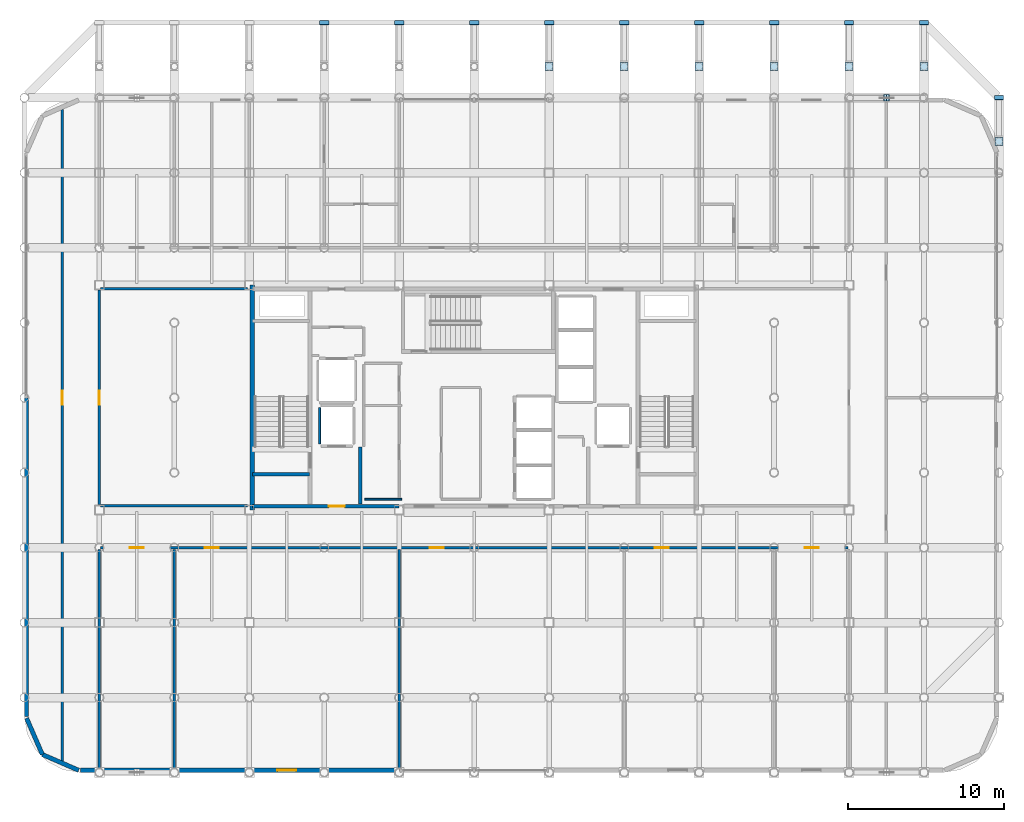
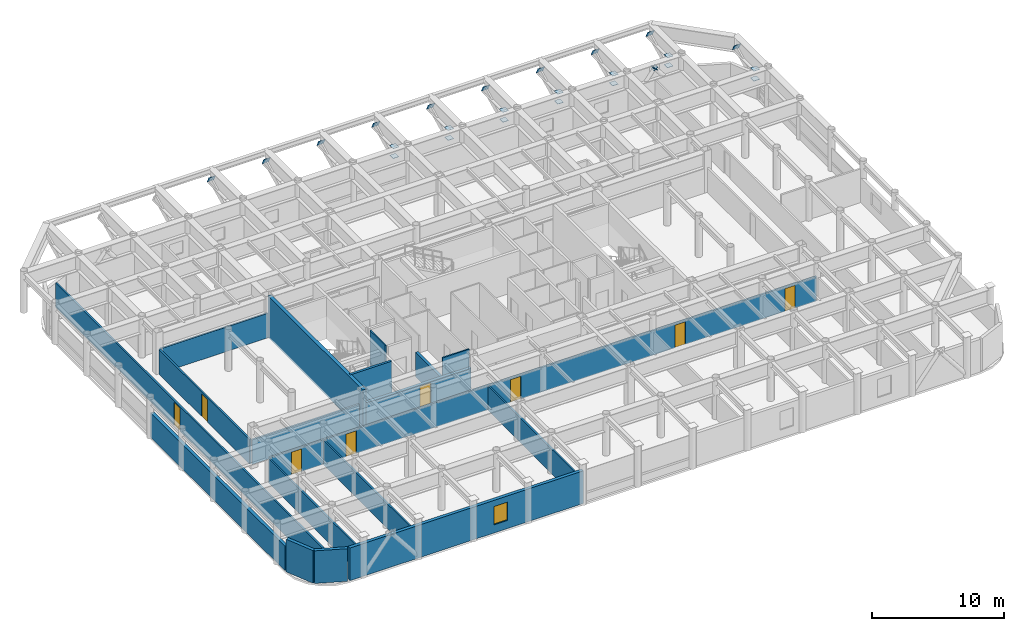
# One storey, part 20 of 24: 26 plates, 18 walls, 8 doors, 1 window, 9 openings.
"""IFC4 building model written with IfcOpenShell, lengths in metres."""

from ifc_helpers import new_model, si_unit, direction, frame, frame_2d, origin, origin_2d, place, context, subcontext, project, spatial, polyline, rectangle, outline, extrude, material, layer, layer_set, type_object, element, fill, save


model = new_model("IFC4")

# Units and contexts
model_context = context("Model", 3, precision=1e-05, world=origin(), true_north=direction((0.0, 1.0)))
body_context = subcontext(model_context, "Body", "Model", "MODEL_VIEW")
ifc_project = project(units=[si_unit("LENGTHUNIT", "METRE"), si_unit("AREAUNIT", "SQUARE_METRE"), si_unit("VOLUMEUNIT", "CUBIC_METRE"), si_unit("PLANEANGLEUNIT", "RADIAN"), si_unit("MASSUNIT", "GRAM", prefix="KILO")], contexts=[model_context])

# Site, building, storey
site_placement = place(None, origin())
site = spatial("IfcSite", under=ifc_project, at=site_placement, CompositionType="ELEMENT")
building_placement = place(site_placement, origin())
building = spatial("IfcBuilding", under=site, at=building_placement, Name="Kallvorn Hotel Tower", CompositionType="ELEMENT")
storey_placement = place(building_placement, frame((0.0, 0.0, 218.449951171875)))
storey = spatial("IfcBuildingStorey", under=building, at=storey_placement, Name="L54", CompositionType="ELEMENT", Elevation=218.449951171875)

# Plates
ifc_material_1 = material(Name="Structural steel S355JR", Category="steel")
ifc_layer_1 = layer(ifc_material_1, 0.030029296875)
ifc_layer_set_1 = layer_set([ifc_layer_1], Name="PLT_CAP_30")
plate_type = type_object("IfcPlateType", Name="PLT_CAP_30", PredefinedType="SHEET", material=ifc_layer_set_1)
plate_1_placement = place(storey_placement, frame((-9.300048828125, 24.15966796875, 2.3642578125), z_axis=(0.0, 0.896693934951, 0.442651089486), x_axis=(-1.0, 0.0, 0.0)))
element("IfcPlate", 1, at=plate_1_placement, inside=storey, type_object=plate_type, Name="L54 Cantilever Strut Node Cap 04", PredefinedType="SHEET", context=body_context, shape_type="SweptSolid", body=[
    extrude(outline(polyline([(0.0, 0.0), (0.599853515625, 0.0), (0.599853515625, 0.6000775922830762), (0.0, 0.6000775922830762), (0.0, 0.0)])), origin(), (0.0, 0.0, -1.0), 0.030029296875),
])
for number, where, z_axis, x_axis, name in (
    (2, (-4.5, 24.15966796875, 2.3642578125), (0.0, 0.896693934951, 0.442651089486), (-1.0, 0.0, 0.0), "L54 Cantilever Strut Node Cap 05"),
    (3, (0.300048828125, 24.15966796875, 2.3642578125), (0.0, 0.896693934951, 0.442651089486), (-1.0, 0.0, 0.0), "L54 Cantilever Strut Node Cap 06"),
):
    element("IfcPlate", number, at=place(storey_placement, frame(where, z_axis=z_axis, x_axis=x_axis)), inside=storey, type_object=plate_type, Name=name, PredefinedType="SHEET", context=body_context, shape_type="SweptSolid", body=[
        extrude(outline(polyline([(0.0, 0.0), (0.60009765625, 0.0), (0.60009765625, 0.6000775922830762), (0.0, 0.6000775922830762), (0.0, 0.0)])), origin(), (0.0, 0.0, -1.0), 0.030029296875),
    ])
for number, where, z_axis, x_axis, name in (
    (4, (4.800048828125, 21.199951171875, 1.3701171875), (0.0, 0.0, 1.0), (1.0, 0.0, 0.0), "L54 Prop Column End Cap Plate 07B"),
    (5, (4.800048828125, 21.199951171875, 2.2900390625), (0.0, 0.0, 1.0), (1.0, 0.0, 0.0), "L54 Prop Column End Cap Plate 07T"),
):
    element("IfcPlate", number, at=place(storey_placement, frame(where, z_axis=z_axis, x_axis=x_axis)), inside=storey, type_object=plate_type, Name=name, PredefinedType="SHEET", context=body_context, shape_type="SweptSolid", body=[
        extrude(rectangle(XDim=0.52001953125, YDim=0.52001953125, at=origin_2d()), origin(), (0.0, 0.0, 1.0), 0.030029296875),
    ])
plate_2_placement = place(storey_placement, frame((5.10009765625, 24.15966796875, 2.3642578125), z_axis=(0.0, 0.896693934951, 0.442651089486), x_axis=(-1.0, 0.0, 0.0)))
element("IfcPlate", 6, at=plate_2_placement, inside=storey, type_object=plate_type, Name="L54 Cantilever Strut Node Cap 07", PredefinedType="SHEET", context=body_context, shape_type="SweptSolid", body=[
    extrude(outline(polyline([(0.0, 0.0), (0.60009765625, 0.0), (0.60009765625, 0.6000775922830762), (0.0, 0.6000775922830762), (0.0, 0.0)])), origin(), (0.0, 0.0, -1.0), 0.030029296875),
])
for number, where, z_axis, x_axis, name in (
    (7, (9.60009765625, 21.199951171875, 1.3701171875), (0.0, 0.0, 1.0), (1.0, 0.0, 0.0), "L54 Prop Column End Cap Plate 08B"),
    (8, (9.60009765625, 21.199951171875, 2.2900390625), (0.0, 0.0, 1.0), (1.0, 0.0, 0.0), "L54 Prop Column End Cap Plate 08T"),
):
    element("IfcPlate", number, at=place(storey_placement, frame(where, z_axis=z_axis, x_axis=x_axis)), inside=storey, type_object=plate_type, Name=name, PredefinedType="SHEET", context=body_context, shape_type="SweptSolid", body=[
        extrude(rectangle(XDim=0.52001953125, YDim=0.52001953125, at=origin_2d()), origin(), (0.0, 0.0, 1.0), 0.030029296875),
    ])
plate_3_placement = place(storey_placement, frame((9.89990234375, 24.15966796875, 2.3642578125), z_axis=(0.0, 0.896693934951, 0.442651089486), x_axis=(-1.0, 0.0, 0.0)))
element("IfcPlate", 9, at=plate_3_placement, inside=storey, type_object=plate_type, Name="L54 Cantilever Strut Node Cap 08", PredefinedType="SHEET", context=body_context, shape_type="SweptSolid", body=[
    extrude(outline(polyline([(0.0, 0.0), (0.599853515625, 0.0), (0.599853515625, 0.6000775922830762), (0.0, 0.6000775922830762), (0.0, 0.0)])), origin(), (0.0, 0.0, -1.0), 0.030029296875),
])
for number, where, z_axis, x_axis, name in (
    (10, (14.39990234375, 21.199951171875, 1.3701171875), (0.0, 0.0, 1.0), (1.0, 0.0, 0.0), "L54 Prop Column End Cap Plate 09B"),
    (11, (14.39990234375, 21.199951171875, 2.2900390625), (0.0, 0.0, 1.0), (1.0, 0.0, 0.0), "L54 Prop Column End Cap Plate 09T"),
):
    element("IfcPlate", number, at=place(storey_placement, frame(where, z_axis=z_axis, x_axis=x_axis)), inside=storey, type_object=plate_type, Name=name, PredefinedType="SHEET", context=body_context, shape_type="SweptSolid", body=[
        extrude(rectangle(XDim=0.52001953125, YDim=0.52001953125, at=origin_2d()), origin(), (0.0, 0.0, 1.0), 0.030029296875),
    ])
plate_4_placement = place(storey_placement, frame((14.699951171875, 24.15966796875, 2.3642578125), z_axis=(0.0, 0.896693934951, 0.442651089486), x_axis=(-1.0, 0.0, 0.0)))
element("IfcPlate", 12, at=plate_4_placement, inside=storey, type_object=plate_type, Name="L54 Cantilever Strut Node Cap 09", PredefinedType="SHEET", context=body_context, shape_type="SweptSolid", body=[
    extrude(outline(polyline([(0.0, 0.0), (0.599853515625, 0.0), (0.599853515625, 0.6000775922830762), (0.0, 0.6000775922830762), (0.0, 0.0)])), origin(), (0.0, 0.0, -1.0), 0.030029296875),
])
for number, where, z_axis, x_axis, name in (
    (13, (19.199951171875, 21.199951171875, 1.3701171875), (0.0, 0.0, 1.0), (1.0, 0.0, 0.0), "L54 Prop Column End Cap Plate 10B"),
    (14, (19.199951171875, 21.199951171875, 2.2900390625), (0.0, 0.0, 1.0), (1.0, 0.0, 0.0), "L54 Prop Column End Cap Plate 10T"),
):
    element("IfcPlate", number, at=place(storey_placement, frame(where, z_axis=z_axis, x_axis=x_axis)), inside=storey, type_object=plate_type, Name=name, PredefinedType="SHEET", context=body_context, shape_type="SweptSolid", body=[
        extrude(rectangle(XDim=0.52001953125, YDim=0.52001953125, at=origin_2d()), origin(), (0.0, 0.0, 1.0), 0.030029296875),
    ])
plate_5_placement = place(storey_placement, frame((19.5, 24.15966796875, 2.3642578125), z_axis=(0.0, 0.896693934951, 0.442651089486), x_axis=(-1.0, 0.0, 0.0)))
element("IfcPlate", 15, at=plate_5_placement, inside=storey, type_object=plate_type, Name="L54 Cantilever Strut Node Cap 10", PredefinedType="SHEET", context=body_context, shape_type="SweptSolid", body=[
    extrude(outline(polyline([(0.0, 0.0), (0.60009765625, 0.0), (0.60009765625, 0.6000775922830762), (0.0, 0.6000775922830762), (0.0, 0.0)])), origin(), (0.0, 0.0, -1.0), 0.030029296875),
])
for number, where, z_axis, x_axis, name in (
    (16, (24.0, 21.199951171875, 1.3701171875), (0.0, 0.0, 1.0), (1.0, 0.0, 0.0), "L54 Prop Column End Cap Plate 11B"),
    (17, (24.0, 21.199951171875, 2.2900390625), (0.0, 0.0, 1.0), (1.0, 0.0, 0.0), "L54 Prop Column End Cap Plate 11T"),
):
    element("IfcPlate", number, at=place(storey_placement, frame(where, z_axis=z_axis, x_axis=x_axis)), inside=storey, type_object=plate_type, Name=name, PredefinedType="SHEET", context=body_context, shape_type="SweptSolid", body=[
        extrude(rectangle(XDim=0.52001953125, YDim=0.52001953125, at=origin_2d()), origin(), (0.0, 0.0, 1.0), 0.030029296875),
    ])
plate_6_placement = place(storey_placement, frame((24.300048828125, 24.15966796875, 2.3642578125), z_axis=(0.0, 0.896693934951, 0.442651089486), x_axis=(-1.0, 0.0, 0.0)))
element("IfcPlate", 18, at=plate_6_placement, inside=storey, type_object=plate_type, Name="L54 Cantilever Strut Node Cap 11", PredefinedType="SHEET", context=body_context, shape_type="SweptSolid", body=[
    extrude(outline(polyline([(0.0, 0.0), (0.60009765625, 0.0), (0.60009765625, 0.6000775922830762), (0.0, 0.6000775922830762), (0.0, 0.0)])), origin(), (0.0, 0.0, -1.0), 0.030029296875),
])
for number, where, z_axis, x_axis, name in (
    (19, (28.800048828125, 21.199951171875, 1.3701171875), (0.0, 0.0, 1.0), (1.0, 0.0, 0.0), "L54 Prop Column End Cap Plate 12B"),
    (20, (28.800048828125, 21.199951171875, 2.2900390625), (0.0, 0.0, 1.0), (1.0, 0.0, 0.0), "L54 Prop Column End Cap Plate 12T"),
):
    element("IfcPlate", number, at=place(storey_placement, frame(where, z_axis=z_axis, x_axis=x_axis)), inside=storey, type_object=plate_type, Name=name, PredefinedType="SHEET", context=body_context, shape_type="SweptSolid", body=[
        extrude(rectangle(XDim=0.52001953125, YDim=0.52001953125, at=origin_2d()), origin(), (0.0, 0.0, 1.0), 0.030029296875),
    ])
plate_7_placement = place(storey_placement, frame((29.10009765625, 24.15966796875, 2.3642578125), z_axis=(0.0, 0.896693934951, 0.442651089486), x_axis=(-1.0, 0.0, 0.0)))
element("IfcPlate", 21, at=plate_7_placement, inside=storey, type_object=plate_type, Name="L54 Cantilever Strut Node Cap 12", PredefinedType="SHEET", context=body_context, shape_type="SweptSolid", body=[
    extrude(outline(polyline([(0.0, 0.0), (0.60009765625, 0.0), (0.60009765625, 0.6000775922830762), (0.0, 0.6000775922830762), (0.0, 0.0)])), origin(), (0.0, 0.0, -1.0), 0.030029296875),
])
for number, where, z_axis, x_axis, name in (
    (22, (33.60009765625, 16.39990234375, 1.3701171875), (0.0, 0.0, 1.0), (1.0, 0.0, 0.0), "L54 Prop Column End Cap Plate 13B"),
    (23, (33.60009765625, 16.39990234375, 2.2900390625), (0.0, 0.0, 1.0), (1.0, 0.0, 0.0), "L54 Prop Column End Cap Plate 13T"),
):
    element("IfcPlate", number, at=place(storey_placement, frame(where, z_axis=z_axis, x_axis=x_axis)), inside=storey, type_object=plate_type, Name=name, PredefinedType="SHEET", context=body_context, shape_type="SweptSolid", body=[
        extrude(rectangle(XDim=0.52001953125, YDim=0.52001953125, at=origin_2d()), origin(), (0.0, 0.0, 1.0), 0.030029296875),
    ])
plate_8_placement = place(storey_placement, frame((33.89990234375, 19.359619140625, 2.3642578125), z_axis=(0.0, 0.896693934951, 0.442651089486), x_axis=(-1.0, 0.0, 0.0)))
element("IfcPlate", 24, at=plate_8_placement, inside=storey, type_object=plate_type, Name="L54 Cantilever Strut Node Cap 13", PredefinedType="SHEET", context=body_context, shape_type="SweptSolid", body=[
    extrude(outline(polyline([(0.0, 0.0), (0.599853515625, 0.0), (0.599853515625, 0.6000775922830762), (0.0, 0.6000775922830762), (0.0, 0.0)])), origin(), (0.0, 0.0, -1.0), 0.030029296875),
])
plate_9_placement = place(storey_placement, frame((26.576904296875, 18.982177734375, 3.082763671875), z_axis=(0.620789123174, 0.0, 0.783977591867), x_axis=(0.0, 1.0, 0.0)))
element("IfcPlate", 25, at=plate_9_placement, inside=storey, type_object=plate_type, Name="EXO-L54-N2A End Cap Plate B", PredefinedType="SHEET", context=body_context, shape_type="SweptSolid", body=[
    extrude(outline(polyline([(0.0, 0.0), (0.435546875, 0.0), (0.435546875, 0.4353550373005464), (0.0, 0.4353550373005464), (0.0, 0.0)])), origin(), (0.0, 0.0, -1.0), 0.030029296875),
])
plate_10_placement = place(storey_placement, frame((26.222900390625, 19.417724609375, 3.082763671875), z_axis=(-0.620516279972, 0.0, 0.7841935643), x_axis=(0.0, -1.0, 0.0)))
element("IfcPlate", 26, at=plate_10_placement, inside=storey, type_object=plate_type, Name="EXO-L54-N2B End Cap Plate B", PredefinedType="SHEET", context=body_context, shape_type="SweptSolid", body=[
    extrude(outline(polyline([(0.0, 0.0), (0.435546875, 0.0), (0.435546875, 0.43554646444942813), (0.0, 0.43554646444942813), (0.0, 0.0)])), origin(), (0.0, 0.0, -1.0), 0.030029296875),
])

# Walls
ifc_material_2 = material(Name="Concrete C50/60", Category="concrete")
ifc_layer_2 = layer(ifc_material_2, 0.300048828125)
ifc_layer_set_2 = layer_set([ifc_layer_2], Name="WL_CORE_300")
wall_type_1 = type_object("IfcWallType", Name="WL_CORE_300", PredefinedType="SHEAR", material=ifc_layer_set_2)
wall_1_placement = place(storey_placement, frame((-14.215087890625, -7.199951171875, -0.179931640625), z_axis=(0.0, 0.0, 1.0), x_axis=(0.0, 1.0, 0.0)))
element("IfcWall", 27, at=wall_1_placement, inside=storey, type_object=wall_type_1, Name="L54 Core West Shear Wall", PredefinedType="SHEAR", context=body_context, shape_type="SweptSolid", body=[
    extrude(rectangle(XDim=14.39990234375, YDim=0.300048828125, at=frame_2d((7.199951171875, 0.0))), origin(), (0.0, 0.0, 1.0), 3.85009765625),
])
ifc_material_3 = material(Name="Precast basalt-clad insulated concrete wall C40/50", Category="masonry")
ifc_layer_3 = layer(ifc_material_3, 0.280029296875)
ifc_layer_set_3 = layer_set([ifc_layer_3], Name="WL_EXT_LOGGIA_280")
wall_type_2 = type_object("IfcWallType", Name="WL_EXT_LOGGIA_280", PredefinedType="SOLIDWALL", material=ifc_layer_set_3)
wall_2_placement = place(storey_placement, frame((-28.657958984375, -20.520751953125, 0.0), z_axis=(0.0, 0.0, 1.0), x_axis=(0.398792985289, -0.917040977756, 0.0)))
element("IfcWall", 28, at=wall_2_placement, inside=storey, type_object=wall_type_2, Name="L54 Rounded Corner Exterior Wall SW1", PredefinedType="SOLIDWALL", context=body_context, shape_type="SweptSolid", body=[
    extrude(rectangle(XDim=2.536376953125, YDim=0.280029296875, at=frame_2d((1.26806640625, 0.0))), origin(), (0.0, 0.0, 1.0), 3.02001953125),
])
wall_3_placement = place(storey_placement, frame((-27.646484375, -22.8466796875, 0.0), z_axis=(0.0, 0.0, 1.0), x_axis=(0.917060872934, -0.398747232384, 0.0)))
element("IfcWall", 29, at=wall_3_placement, inside=storey, type_object=wall_type_2, Name="L54 Rounded Corner Exterior Wall SW2", PredefinedType="SOLIDWALL", context=body_context, shape_type="SweptSolid", body=[
    extrude(rectangle(XDim=2.5361328125, YDim=0.280029296875, at=frame_2d((1.26806640625, 0.0))), origin(), (0.0, 0.0, 1.0), 3.02001953125),
])

# Wall, opening, window
wall_4_placement = place(storey_placement, frame((-25.199951171875, -23.860107421875, 0.0), z_axis=(0.0, 0.0, 1.0), x_axis=(1.0, 0.0, 0.0)))
wall_4 = element("IfcWall", 30, at=wall_4_placement, inside=storey, type_object=wall_type_2, Name="L54 Exterior Envelope Wall EW-L54-SW", PredefinedType="SOLIDWALL", context=body_context, shape_type="SweptSolid", body=[
    extrude(rectangle(XDim=20.449951171875, YDim=0.280029296875, at=frame_2d((10.22509765625, 0.0))), origin(), (0.0, 0.0, 1.0), 3.02001953125),
])
opening_1_placement = place(wall_4_placement, frame((12.60009765625, 0.0, 0.75)))
opening_1 = element("IfcOpeningElement", 31, at=opening_1_placement, cuts=wall_4, Name="Opening W06", PredefinedType="OPENING", context=body_context, shape_type="SweptSolid", body=[
    extrude(rectangle(XDim=1.199951171875, YDim=1.699951171875, at=frame_2d((0.60009765625, 0.85009765625))), frame((0.0, 0.155029296875, 0.0), z_axis=(0.0, -1.0, 0.0), x_axis=(1.0, 0.0, 0.0)), (0.0, 0.0, 1.0), 0.31005859375),
])
ifc_material_4 = material(Name="Triple-glazed low-e acoustic solar-control dark glass", Category="glass")
window_type = type_object("IfcWindowType", Name="WN_HTL_1200x1700", PartitioningType="SINGLE_PANEL", PredefinedType="WINDOW", material=ifc_material_4)
window_placement = place(opening_1_placement, origin())
window = element("IfcWindow", 32, at=window_placement, inside=storey, type_object=window_type, Name="L54 Guestroom Exterior Window 04", OverallHeight=1.699951171875, OverallWidth=1.199951171875, PartitioningType="SINGLE_PANEL", PredefinedType="WINDOW", context=body_context, shape_type="SweptSolid", body=[
    extrude(rectangle(XDim=1.199951171875, YDim=1.699951171875, at=frame_2d((0.60009765625, 0.85009765625))), frame((0.0, 0.030029296875, 0.0), z_axis=(0.0, -1.0, 0.0), x_axis=(1.0, 0.0, 0.0)), (0.0, 0.0, 1.0), 0.06005859375),
])
fill(opening_1, window)

# Walls
wall_5_placement = place(storey_placement, frame((-28.659912109375, -20.39990234375, 0.0), z_axis=(0.0, 0.0, 1.0), x_axis=(0.0, 1.0, 0.0)))
element("IfcWall", 33, at=wall_5_placement, inside=storey, type_object=wall_type_2, Name="L54 Exterior Envelope Wall EW-L54-WS", PredefinedType="SOLIDWALL", context=body_context, shape_type="SweptSolid", body=[
    extrude(rectangle(XDim=20.3798828125, YDim=0.280029296875, at=frame_2d((10.18994140625, 0.0))), origin(), (0.0, 0.0, 1.0), 2.27001953125),
])
ifc_material_5 = material(Name="Concrete C40/50", Category="concrete")
ifc_layer_4 = layer(ifc_material_5, 0.219970703125)
ifc_layer_set_4 = layer_set([ifc_layer_4], Name="WL_FFL_220")
wall_type_3 = type_object("IfcWallType", Name="WL_FFL_220", PredefinedType="SOLIDWALL", material=ifc_layer_set_4)
wall_6_placement = place(storey_placement, frame((-7.300048828125, -6.820068359375, 0.0), z_axis=(0.0, 0.0, 1.0), x_axis=(0.0, 1.0, 0.0)))
element("IfcWall", 34, at=wall_6_placement, inside=storey, type_object=wall_type_3, Name="L54 Firefighting Lobby West Divider Wall", PredefinedType="SOLIDWALL", context=body_context, shape_type="SweptSolid", body=[
    extrude(rectangle(XDim=3.670166015625, YDim=0.219970703125, at=frame_2d((1.8349609375, 0.0))), origin(), (0.0, 0.0, 1.0), 2.27001953125),
])
ifc_material_6 = material(Name="Concrete C40/50", Category="concrete")
ifc_layer_5 = layer(ifc_material_6, 0.199951171875)
ifc_layer_set_5 = layer_set([ifc_layer_5], Name="WL_HOIST_200")
wall_type_4 = type_object("IfcWallType", Name="WL_HOIST_200", PredefinedType="SOLIDWALL", material=ifc_layer_set_5)
wall_7_placement = place(storey_placement, frame((-14.199951171875, -4.89990234375, -0.179931640625), z_axis=(0.0, 0.0, 1.0), x_axis=(1.0, 0.0, 0.0)))
element("IfcWall", 35, at=wall_7_placement, inside=storey, type_object=wall_type_4, Name="L54 Stair ST1 South Wall", PredefinedType="SOLIDWALL", context=body_context, shape_type="SweptSolid", body=[
    extrude(rectangle(XDim=3.64990234375, YDim=0.199951171875, at=frame_2d((1.824951171875, 0.0))), origin(), (0.0, 0.0, 1.0), 3.85009765625),
])
ifc_material_7 = material(Name="Fire-rated double-layer acoustic gypsum drywall EI 60")
ifc_layer_6 = layer(ifc_material_7, 0.1201171875)
ifc_layer_set_6 = layer_set([ifc_layer_6], Name="WL_INT_120")
wall_type_5 = type_object("IfcWallType", Name="WL_INT_120", PredefinedType="PARTITIONING", material=ifc_layer_set_6)
wall_8_placement = place(storey_placement, frame((-9.89990234375, -2.9599609375, 0.0), z_axis=(0.0, 0.0, 1.0), x_axis=(0.0, 1.0, 0.0)))
element("IfcWall", 36, at=wall_8_placement, inside=storey, type_object=wall_type_5, Name="L54 FL-1 West Shaft Wall", PredefinedType="PARTITIONING", context=body_context, shape_type="SweptSolid", body=[
    extrude(rectangle(XDim=2.320068359375, YDim=0.1201171875, at=frame_2d((1.16015625, 0.0))), origin(), (0.0, 0.0, 1.0), 3.670166015625),
])
wall_9_placement = place(storey_placement, frame((-7.0, -6.5, 0.0), z_axis=(0.0, 0.0, 1.0), x_axis=(1.0, 0.0, 0.0)))
element("IfcWall", 37, at=wall_9_placement, inside=storey, type_object=wall_type_5, Name="L54 Recaptured Full-Depth Sommelier Store Partition", PredefinedType="PARTITIONING", context=body_context, shape_type="SweptSolid", body=[
    extrude(rectangle(XDim=2.35009765625, YDim=0.1201171875, at=frame_2d((1.175048828125, 0.0))), origin(), (0.0, 0.0, 1.0), 3.670166015625),
])

# Wall, openings, doors
ifc_material_8 = material(Name="Fire-rated double-layer acoustic gypsum drywall EI 60")
ifc_layer_7 = layer(ifc_material_8, 0.14990234375)
ifc_layer_set_7 = layer_set([ifc_layer_7], Name="WL_PART_150")
wall_type_6 = type_object("IfcWallType", Name="WL_PART_150", PredefinedType="PARTITIONING", material=ifc_layer_set_7)
wall_10_placement = place(storey_placement, frame((-23.919921875, -9.60009765625, 0.0), z_axis=(0.0, 0.0, 1.0), x_axis=(1.0, 0.0, 0.0)))
wall_10 = element("IfcWall", 38, at=wall_10_placement, inside=storey, type_object=wall_type_6, Name="L54 L54 High-Zone South-West Tea Bar Partition", PredefinedType="PARTITIONING", context=body_context, shape_type="SweptSolid", body=[
    extrude(rectangle(XDim=47.83984375, YDim=0.14990234375, at=frame_2d((23.919921875, 0.0))), origin(), (0.0, 0.0, 1.0), 2.27001953125),
])
opening_2_placement = place(wall_10_placement, frame((1.8701171875, 0.0, 0.0)))
opening_2 = element("IfcOpeningElement", 39, at=opening_2_placement, cuts=wall_10, Name="Opening SVD1", PredefinedType="OPENING", context=body_context, shape_type="SweptSolid", body=[
    extrude(rectangle(XDim=0.89990234375, YDim=2.10009765625, at=frame_2d((0.449951171875, 1.050048828125))), frame((0.0, 0.08984375, 0.0), z_axis=(0.0, -1.0, 0.0), x_axis=(1.0, 0.0, 0.0)), (0.0, 0.0, 1.0), 0.179931640625),
])
opening_3_placement = place(wall_10_placement, frame((45.070068359375, 0.0, 0.0)))
opening_3 = element("IfcOpeningElement", 40, at=opening_3_placement, cuts=wall_10, Name="Opening SVD1", PredefinedType="OPENING", context=body_context, shape_type="SweptSolid", body=[
    extrude(rectangle(XDim=0.89990234375, YDim=2.10009765625, at=frame_2d((0.449951171875, 1.050048828125))), frame((0.0, 0.08984375, 0.0), z_axis=(0.0, -1.0, 0.0), x_axis=(1.0, 0.0, 0.0)), (0.0, 0.0, 1.0), 0.179931640625),
])
opening_4_placement = place(wall_10_placement, frame((6.669921875, 0.0, 0.0)))
opening_4 = element("IfcOpeningElement", 41, at=opening_4_placement, cuts=wall_10, Name="Opening SVD1", PredefinedType="OPENING", context=body_context, shape_type="SweptSolid", body=[
    extrude(rectangle(XDim=0.89990234375, YDim=2.10009765625, at=frame_2d((0.449951171875, 1.050048828125))), frame((0.0, 0.08984375, 0.0), z_axis=(0.0, -1.0, 0.0), x_axis=(1.0, 0.0, 0.0)), (0.0, 0.0, 1.0), 0.179931640625),
])
opening_5_placement = place(wall_10_placement, frame((21.070068359375, 0.0, 0.0)))
opening_5 = element("IfcOpeningElement", 42, at=opening_5_placement, cuts=wall_10, Name="Opening SVD1", PredefinedType="OPENING", context=body_context, shape_type="SweptSolid", body=[
    extrude(rectangle(XDim=0.89990234375, YDim=2.10009765625, at=frame_2d((0.449951171875, 1.050048828125))), frame((0.0, 0.08984375, 0.0), z_axis=(0.0, -1.0, 0.0), x_axis=(1.0, 0.0, 0.0)), (0.0, 0.0, 1.0), 0.179931640625),
])
opening_6_placement = place(wall_10_placement, frame((35.469970703125, 0.0, 0.0)))
opening_6 = element("IfcOpeningElement", 43, at=opening_6_placement, cuts=wall_10, Name="Opening SVD1", PredefinedType="OPENING", context=body_context, shape_type="SweptSolid", body=[
    extrude(rectangle(XDim=0.89990234375, YDim=2.10009765625, at=frame_2d((0.449951171875, 1.050048828125))), frame((0.0, 0.08984375, 0.0), z_axis=(0.0, -1.0, 0.0), x_axis=(1.0, 0.0, 0.0)), (0.0, 0.0, 1.0), 0.179931640625),
])
ifc_material_9 = material(Name="Galvanised painted steel fire-rated door assembly", Category="steel")
door_type_1 = type_object("IfcDoorType", Name="DR_SERV_900x2100", OperationType="NOTDEFINED", PredefinedType="DOOR", material=ifc_material_9)
door_1_placement = place(opening_2_placement, origin())
door_1 = element("IfcDoor", 44, at=door_1_placement, inside=storey, type_object=door_type_1, Name="L54 L54 High-Zone South-West Tea Bar Door", OperationType="SINGLE_SWING_LEFT", OverallHeight=2.10009765625, OverallWidth=0.89990234375, PredefinedType="DOOR", context=body_context, shape_type="SweptSolid", body=[
    extrude(rectangle(XDim=0.89990234375, YDim=2.10009765625, at=frame_2d((0.449951171875, 1.050048828125))), frame((0.0, 0.02490234375, 0.0), z_axis=(0.0, -1.0, 0.0), x_axis=(1.0, 0.0, 0.0)), (0.0, 0.0, 1.0), 0.050048828125),
])
fill(opening_2, door_1)
door_2_placement = place(opening_3_placement, origin())
door_2 = element("IfcDoor", 45, at=door_2_placement, inside=storey, type_object=door_type_1, Name="L54 L54 High-Zone South-East Wine Bar Door", OperationType="SINGLE_SWING_RIGHT", OverallHeight=2.10009765625, OverallWidth=0.89990234375, PredefinedType="DOOR", context=body_context, shape_type="SweptSolid", body=[
    extrude(rectangle(XDim=0.89990234375, YDim=2.10009765625, at=frame_2d((0.449951171875, 1.050048828125))), frame((0.0, 0.02490234375, 0.0), z_axis=(0.0, -1.0, 0.0), x_axis=(1.0, 0.0, 0.0)), (0.0, 0.0, 1.0), 0.050048828125),
])
fill(opening_3, door_2)
door_3_placement = place(opening_4_placement, origin())
door_3 = element("IfcDoor", 46, at=door_3_placement, inside=storey, type_object=door_type_1, Name="L54 L54 Diplomatic Summit Conference Boardroom 1 Door", OperationType="SINGLE_SWING_RIGHT", OverallHeight=2.10009765625, OverallWidth=0.89990234375, PredefinedType="DOOR", context=body_context, shape_type="SweptSolid", body=[
    extrude(rectangle(XDim=0.89990234375, YDim=2.10009765625, at=frame_2d((0.449951171875, 1.050048828125))), frame((0.0, 0.02490234375, 0.0), z_axis=(0.0, -1.0, 0.0), x_axis=(1.0, 0.0, 0.0)), (0.0, 0.0, 1.0), 0.050048828125),
])
fill(opening_4, door_3)
door_4_placement = place(opening_5_placement, origin())
door_4 = element("IfcDoor", 47, at=door_4_placement, inside=storey, type_object=door_type_1, Name="L54 L54 Restaurant Culinary Catering Kitchen 2 Door", OperationType="SINGLE_SWING_RIGHT", OverallHeight=2.10009765625, OverallWidth=0.89990234375, PredefinedType="DOOR", context=body_context, shape_type="SweptSolid", body=[
    extrude(rectangle(XDim=0.89990234375, YDim=2.10009765625, at=frame_2d((0.449951171875, 1.050048828125))), frame((0.0, 0.02490234375, 0.0), z_axis=(0.0, -1.0, 0.0), x_axis=(1.0, 0.0, 0.0)), (0.0, 0.0, 1.0), 0.050048828125),
])
fill(opening_5, door_4)
door_5_placement = place(opening_6_placement, origin())
door_5 = element("IfcDoor", 48, at=door_5_placement, inside=storey, type_object=door_type_1, Name="L54 L54 Haute Couture Design Retail Shop 3 Door", OperationType="SINGLE_SWING_LEFT", OverallHeight=2.10009765625, OverallWidth=0.89990234375, PredefinedType="DOOR", context=body_context, shape_type="SweptSolid", body=[
    extrude(rectangle(XDim=0.89990234375, YDim=2.10009765625, at=frame_2d((0.449951171875, 1.050048828125))), frame((0.0, 0.02490234375, 0.0), z_axis=(0.0, -1.0, 0.0), x_axis=(1.0, 0.0, 0.0)), (0.0, 0.0, 1.0), 0.050048828125),
])
fill(opening_6, door_5)

# Walls
for number, where, z_axis, x_axis, name in (
    (49, (-23.919921875, -6.919921875, 0.0), (0.0, 0.0, 1.0), (1.0, 0.0, 0.0), "L54 L54 High-Zone Inner West Club Bar Partition"),
    (50, (-23.919921875, 6.97998046875, 0.0), (0.0, 0.0, 1.0), (1.0, 0.0, 0.0), "L54 L54 High-Zone Inner West Club Bar Partition"),
):
    element("IfcWall", number, at=place(storey_placement, frame(where, z_axis=z_axis, x_axis=x_axis)), inside=storey, type_object=wall_type_6, Name=name, PredefinedType="PARTITIONING", context=body_context, shape_type="SweptSolid", body=[
        extrude(rectangle(XDim=9.39990234375, YDim=0.14990234375, at=frame_2d((4.699951171875, 0.0))), origin(), (0.0, 0.0, 1.0), 2.27001953125),
    ])

# Wall, opening, door
wall_11_placement = place(storey_placement, frame((-26.3798828125, -23.247314453125, 0.0), z_axis=(0.0, 0.0, 1.0), x_axis=(0.0, 1.0, 0.0)))
wall_11 = element("IfcWall", 51, at=wall_11_placement, inside=storey, type_object=wall_type_6, Name="L54 L54 Outer West Sky Observatory Salon Partition", PredefinedType="PARTITIONING", context=body_context, shape_type="SweptSolid", body=[
    extrude(rectangle(XDim=41.694580078125, YDim=0.14990234375, at=frame_2d((20.84716796875, 0.0))), origin(), (0.0, 0.0, 1.0), 2.27001953125),
])
opening_7_placement = place(wall_11_placement, frame((22.79736328125, 0.0, 0.0)))
opening_7 = element("IfcOpeningElement", 52, at=opening_7_placement, cuts=wall_11, Name="Opening SVD1", PredefinedType="OPENING", context=body_context, shape_type="SweptSolid", body=[
    extrude(rectangle(XDim=0.89990234375, YDim=2.10009765625, at=frame_2d((0.449951171875, 1.050048828125))), frame((0.0, 0.08984375, 0.0), z_axis=(0.0, -1.0, 0.0), x_axis=(1.0, 0.0, 0.0)), (0.0, 0.0, 1.0), 0.179931640625),
])
door_6_placement = place(opening_7_placement, origin())
door_6 = element("IfcDoor", 53, at=door_6_placement, inside=storey, type_object=door_type_1, Name="L54 L54 Outer West Sky Observatory Salon Door", OperationType="SINGLE_SWING_LEFT", OverallHeight=2.10009765625, OverallWidth=0.89990234375, PredefinedType="DOOR", context=body_context, shape_type="SweptSolid", body=[
    extrude(rectangle(XDim=0.89990234375, YDim=2.10009765625, at=frame_2d((0.449951171875, 1.050048828125))), frame((0.0, 0.02490234375, 0.0), z_axis=(0.0, -1.0, 0.0), x_axis=(1.0, 0.0, 0.0)), (0.0, 0.0, 1.0), 0.050048828125),
])
fill(opening_7, door_6)

# Wall
wall_12_placement = place(storey_placement, frame((-24.0, -23.7099609375, 0.0), z_axis=(0.0, 0.0, 1.0), x_axis=(0.0, 1.0, 0.0)))
element("IfcWall", 54, at=wall_12_placement, inside=storey, type_object=wall_type_6, Name="L54 L54 High-Zone South-West Tea Bar Partition", PredefinedType="PARTITIONING", context=body_context, shape_type="SweptSolid", body=[
    extrude(rectangle(XDim=13.989990234375, YDim=0.14990234375, at=frame_2d((6.9951171875, 0.0))), origin(), (0.0, 0.0, 1.0), 2.27001953125),
])

# Wall, opening, door
wall_13_placement = place(storey_placement, frame((-24.0, -6.8349609375, 0.0), z_axis=(0.0, 0.0, 1.0), x_axis=(0.0, 1.0, 0.0)))
wall_13 = element("IfcWall", 55, at=wall_13_placement, inside=storey, type_object=wall_type_6, Name="L54 L54 High-Zone Inner West Club Bar Partition", PredefinedType="PARTITIONING", context=body_context, shape_type="SweptSolid", body=[
    extrude(rectangle(XDim=13.72998046875, YDim=0.14990234375, at=frame_2d((6.864990234375, 0.0))), origin(), (0.0, 0.0, 1.0), 2.27001953125),
])
opening_8_placement = place(wall_13_placement, frame((6.385009765625, 0.0, 0.0)))
opening_8 = element("IfcOpeningElement", 56, at=opening_8_placement, cuts=wall_13, Name="Opening SVD1", PredefinedType="OPENING", context=body_context, shape_type="SweptSolid", body=[
    extrude(rectangle(XDim=0.89990234375, YDim=2.10009765625, at=frame_2d((0.449951171875, 1.050048828125))), frame((0.0, 0.08984375, 0.0), z_axis=(0.0, -1.0, 0.0), x_axis=(1.0, 0.0, 0.0)), (0.0, 0.0, 1.0), 0.179931640625),
])
door_7_placement = place(opening_8_placement, origin())
door_7 = element("IfcDoor", 57, at=door_7_placement, inside=storey, type_object=door_type_1, Name="L54 L54 High-Zone Inner West Club Bar Door", OperationType="SINGLE_SWING_LEFT", OverallHeight=2.10009765625, OverallWidth=0.89990234375, PredefinedType="DOOR", context=body_context, shape_type="SweptSolid", body=[
    extrude(rectangle(XDim=0.89990234375, YDim=2.10009765625, at=frame_2d((0.449951171875, 1.050048828125))), frame((0.0, 0.02490234375, 0.0), z_axis=(0.0, -1.0, 0.0), x_axis=(1.0, 0.0, 0.0)), (0.0, 0.0, 1.0), 0.050048828125),
])
fill(opening_8, door_7)

# Walls
for number, where, z_axis, x_axis, name in (
    (58, (-19.199951171875, -23.7099609375, 0.0), (0.0, 0.0, 1.0), (0.0, 1.0, 0.0), "L54 L54 Diplomatic Summit Conference Boardroom 1 Partition"),
    (59, (-4.800048828125, -23.7099609375, 0.0), (0.0, 0.0, 1.0), (0.0, 1.0, 0.0), "L54 L54 Diplomatic Summit Conference Boardroom 1 Partition"),
):
    element("IfcWall", number, at=place(storey_placement, frame(where, z_axis=z_axis, x_axis=x_axis)), inside=storey, type_object=wall_type_6, Name=name, PredefinedType="PARTITIONING", context=body_context, shape_type="SweptSolid", body=[
        extrude(rectangle(XDim=13.989990234375, YDim=0.14990234375, at=frame_2d((6.9951171875, 0.0))), origin(), (0.0, 0.0, 1.0), 2.27001953125),
    ])

# Wall, opening, door
ifc_material_10 = material(Name="Concrete C40/50", Category="concrete")
ifc_layer_8 = layer(ifc_material_10, 0.25)
ifc_layer_set_8 = layer_set([ifc_layer_8], Name="WL_SHAFT_250")
wall_type_7 = type_object("IfcWallType", Name="WL_SHAFT_250", PredefinedType="SOLIDWALL", material=ifc_layer_set_8)
wall_14_placement = place(storey_placement, frame((-14.199951171875, -6.949951171875, 0.0), z_axis=(0.0, 0.0, 1.0), x_axis=(1.0, 0.0, 0.0)))
wall_14 = element("IfcWall", 60, at=wall_14_placement, inside=storey, type_object=wall_type_7, Name="L54 Core South-West Wall", PredefinedType="SOLIDWALL", context=body_context, shape_type="SweptSolid", body=[
    extrude(rectangle(XDim=9.39990234375, YDim=0.25, at=frame_2d((4.699951171875, 0.0))), origin(), (0.0, 0.0, 1.0), 2.27001953125),
])
opening_9_placement = place(wall_14_placement, frame((4.89990234375, 0.0, 0.0)))
opening_9 = element("IfcOpeningElement", 61, at=opening_9_placement, cuts=wall_14, Name="Opening FD1", PredefinedType="OPENING", context=body_context, shape_type="SweptSolid", body=[
    extrude(rectangle(XDim=1.0, YDim=2.14990234375, at=frame_2d((0.5, 1.074951171875))), frame((0.0, 0.139892578125, 0.0), z_axis=(0.0, -1.0, 0.0), x_axis=(1.0, 0.0, 0.0)), (0.0, 0.0, 1.0), 0.280029296875),
])
ifc_material_11 = material(Name="Galvanised painted steel fire-rated door assembly", Category="steel")
door_type_2 = type_object("IfcDoorType", Name="DR_FFL_1000x2150", OperationType="NOTDEFINED", PredefinedType="DOOR", material=ifc_material_11)
door_8_placement = place(opening_9_placement, origin())
door_8 = element("IfcDoor", 62, at=door_8_placement, inside=storey, type_object=door_type_2, Name="L54 Firefighting Lobby West Door", OperationType="SINGLE_SWING_RIGHT", OverallHeight=2.14990234375, OverallWidth=1.0, PredefinedType="DOOR", context=body_context, shape_type="SweptSolid", body=[
    extrude(rectangle(XDim=1.0, YDim=2.14990234375, at=frame_2d((0.5, 1.074951171875))), frame((0.0, 0.02490234375, 0.0), z_axis=(0.0, -1.0, 0.0), x_axis=(1.0, 0.0, 0.0)), (0.0, 0.0, 1.0), 0.050048828125),
])
fill(opening_9, door_8)

save(model, "model.ifc")
